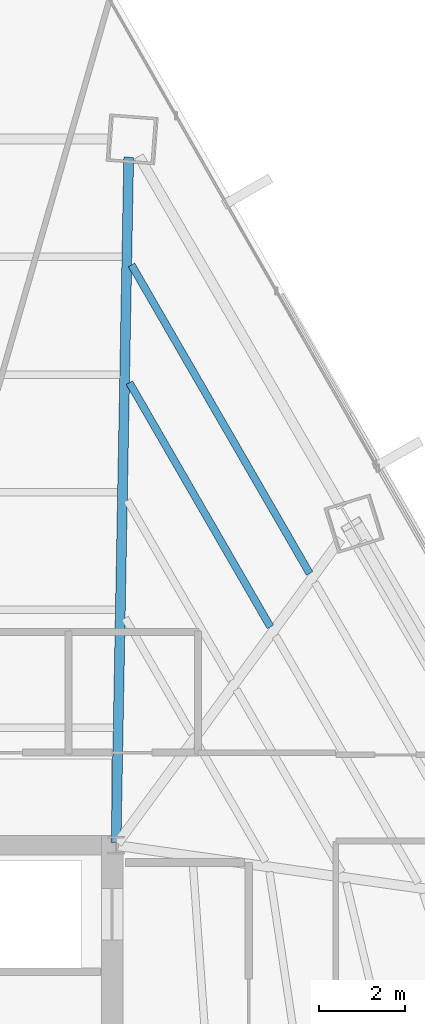
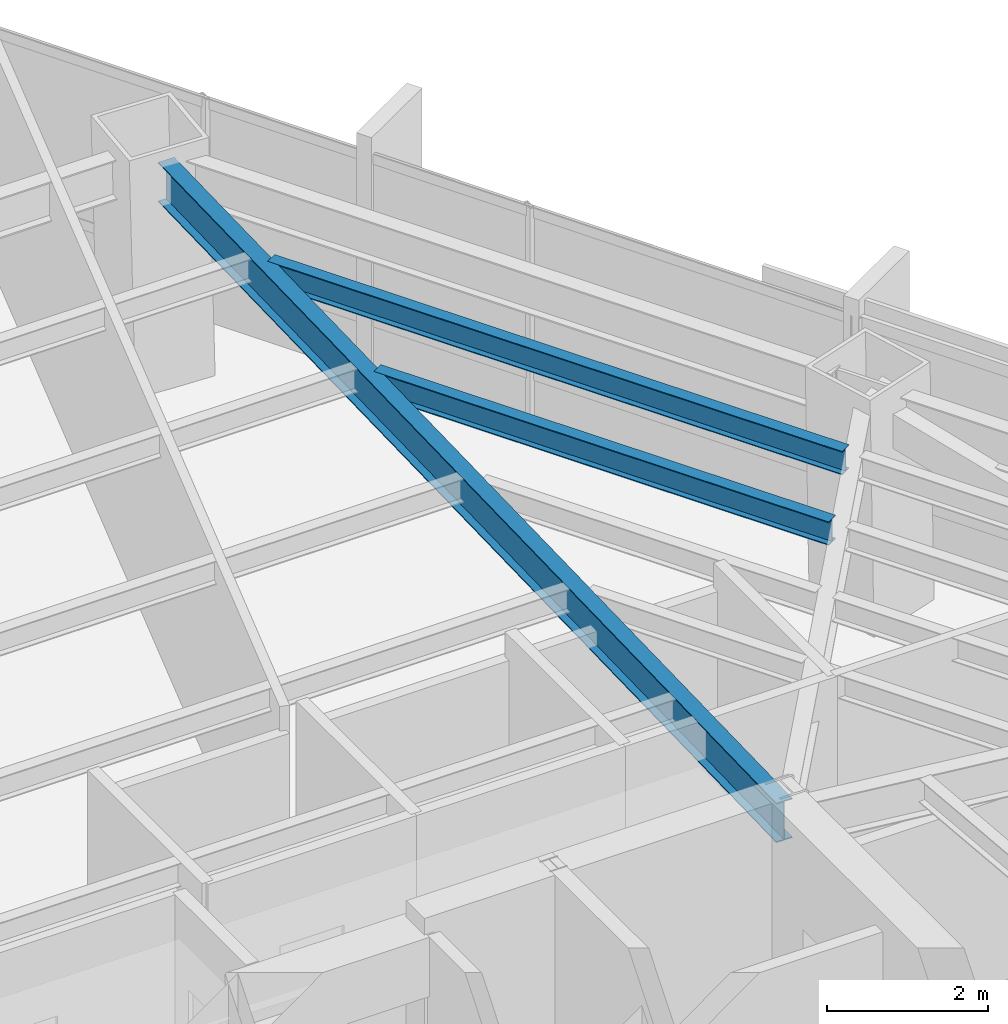
# One storey, part 27 of 35: 3 beams.
"""IFC4 building model written with IfcOpenShell, lengths in metres."""

from ifc_helpers import new_model, si_unit, direction, frame, origin, origin_2d, place, context, subcontext, project, spatial, i_section, extrude, source, transform, mapped, material, material_profile, profile_set, type_object, type_shapes, element, save


model = new_model("IFC4")

# Units and contexts
model_context = context("Model", 3, precision=1e-05, world=origin(), true_north=direction((0.0, 1.0)))
body_context = subcontext(model_context, "Body", "Model", "MODEL_VIEW")
ifc_project = project(units=[si_unit("LENGTHUNIT", "METRE"), si_unit("AREAUNIT", "SQUARE_METRE"), si_unit("VOLUMEUNIT", "CUBIC_METRE"), si_unit("PLANEANGLEUNIT", "RADIAN"), si_unit("MASSUNIT", "GRAM", prefix="KILO")], contexts=[model_context])

# Site, building, storey
site_placement = place(None, origin())
site = spatial("IfcSite", under=ifc_project, at=site_placement, CompositionType="ELEMENT")
building_placement = place(site_placement, origin())
building = spatial("IfcBuilding", under=site, at=building_placement, Name="Caelisora Broadcast Tower", CompositionType="ELEMENT")
storey_placement = place(building_placement, frame((0.0, 0.0, 87.14990234375)))
storey = spatial("IfcBuildingStorey", under=building, at=storey_placement, Name="L22", CompositionType="ELEMENT", Elevation=87.14990234375)

# Beams
ifc_material = material(Name="Steel Grade 350 (AS/NZS 3679.1)", Category="steel")
ifc_material_profile_1 = material_profile(ifc_material, i_section(OverallWidth=0.22802734375, OverallDepth=0.602294921875, WebThickness=0.010498046875, FlangeThickness=0.014892578125, at=origin_2d()), Name="Steel Grade 350 (AS/NZS 3679.1)")
ifc_profile_set_1 = profile_set([ifc_material_profile_1], Name="Steel Grade 350 (AS/NZS 3679.1)")
beam_type_1 = type_object("IfcBeamType", Name="PG04", PredefinedType="BEAM", material=ifc_profile_set_1)
shared_shape_1 = source(origin(), body_context, "Body", "SweptSolid", [
    extrude(i_section(OverallWidth=0.22802734375, OverallDepth=0.602294921875, WebThickness=0.010498046875, FlangeThickness=0.014892578125, at=origin_2d()), origin(), (0.0, 0.0, 1.0), 15.906005859375),
])
type_shapes(beam_type_1, [shared_shape_1])
beam_1_placement = place(storey_placement, frame((45.501220703125, 30.06005859375, 3.098876953125), z_axis=(0.018418735536, 0.999830360702, 0.0), x_axis=(-0.999830360702, 0.018418735536, 0.0)))
element("IfcBeam", 1, at=beam_1_placement, inside=storey, type_object=beam_type_1, Name="L22 beam PG04", PredefinedType="BEAM", context=body_context, shape_type="MappedRepresentation", body=[
    mapped(shared_shape_1, transform((0.0, 0.0, 0.0), scale=1.0)),
])
ifc_material_profile_2 = material_profile(ifc_material, i_section(OverallWidth=0.172119140625, OverallDepth=0.358642578125, WebThickness=0.008056640625, FlangeThickness=0.012939453125, at=origin_2d()), Name="Steel Grade 350 (AS/NZS 3679.1)")
ifc_profile_set_2 = profile_set([ifc_material_profile_2], Name="Steel Grade 350 (AS/NZS 3679.1)")
beam_type_2 = type_object("IfcBeamType", Name="SB02", PredefinedType="JOIST", material=ifc_profile_set_2)
shared_shape_2 = source(origin(), body_context, "Body", "SweptSolid", [
    extrude(i_section(OverallWidth=0.172119140625, OverallDepth=0.358642578125, WebThickness=0.008056640625, FlangeThickness=0.012939453125, at=origin_2d()), origin(), (0.0, 0.0, 1.0), 6.5419921875),
])
beam_2_placement = place(storey_placement, frame((49.081298828125, 35.06787109375, 3.220703125), z_axis=(-0.500000270186, 0.866025247793, 0.0), x_axis=(-0.866025247793, -0.500000270186, 0.0)))
element("IfcBeam", 2, at=beam_2_placement, inside=storey, type_object=beam_type_2, Name="L22 beam SB02", PredefinedType="JOIST", context=body_context, shape_type="MappedRepresentation", body=[
    mapped(shared_shape_2, transform((0.0, 0.0, 0.0), scale=1.0)),
])
shared_shape_3 = source(origin(), body_context, "Body", "SweptSolid", [
    extrude(i_section(OverallWidth=0.172119140625, OverallDepth=0.358642578125, WebThickness=0.008056640625, FlangeThickness=0.012939453125, at=origin_2d()), origin(), (0.0, 0.0, 1.0), 8.262451171875),
])
type_shapes(beam_type_2, [shared_shape_2, shared_shape_3])
beam_3_placement = place(storey_placement, frame((49.99169921875, 36.308349609375, 3.220703125), z_axis=(-0.499987610924, 0.866032556503, 0.0), x_axis=(-0.866032556503, -0.499987610924, 0.0)))
element("IfcBeam", 3, at=beam_3_placement, inside=storey, type_object=beam_type_2, Name="L22 beam SB02", PredefinedType="JOIST", context=body_context, shape_type="MappedRepresentation", body=[
    mapped(shared_shape_3, transform((0.0, 0.0, 0.0), scale=1.0)),
])

save(model, "model.ifc")
